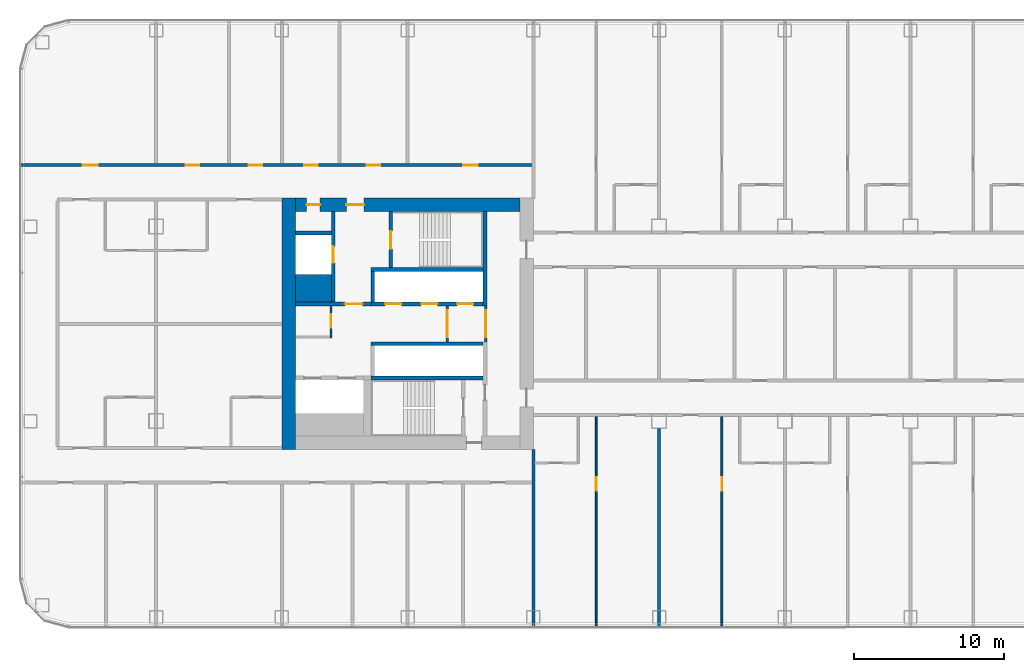
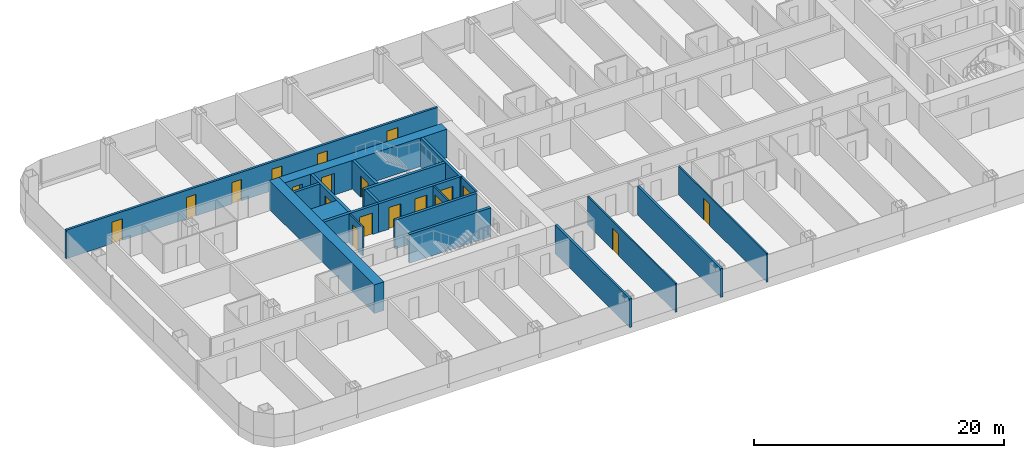
# One storey, part 14 of 28: 21 walls, 19 doors, 19 openings.
"""IFC4 building model written with IfcOpenShell, lengths in metres."""

from ifc_helpers import new_model, si_unit, direction, frame, frame_2d, origin, place, context, subcontext, project, spatial, rectangle, extrude, material, layer, layer_set, type_object, element, fill, save


model = new_model("IFC4")

# Units and contexts
model_context = context("Model", 3, precision=1e-05, world=origin(), true_north=direction((0.0, 1.0)))
body_context = subcontext(model_context, "Body", "Model", "MODEL_VIEW")
ifc_project = project(units=[si_unit("LENGTHUNIT", "METRE"), si_unit("AREAUNIT", "SQUARE_METRE"), si_unit("VOLUMEUNIT", "CUBIC_METRE"), si_unit("PLANEANGLEUNIT", "RADIAN"), si_unit("MASSUNIT", "GRAM", prefix="KILO")], contexts=[model_context])

# Site, building, storey
site_placement = place(None, origin())
site = spatial("IfcSite", under=ifc_project, at=site_placement, CompositionType="ELEMENT")
building_placement = place(site_placement, origin())
building = spatial("IfcBuilding", under=site, at=building_placement, Name="Hakoniwa Tower and Hamabe Station Hall", CompositionType="ELEMENT")
storey_placement = place(building_placement, frame((0.0, 0.0, 48.60009765625)))
storey = spatial("IfcBuildingStorey", under=building, at=storey_placement, Name="L13", CompositionType="ELEMENT", Elevation=48.60009765625)

# Wall, opening, door
ifc_material_1 = material(Name="Gypsum board partition")
ifc_layer_1 = layer(ifc_material_1, 0.14990234375)
ifc_layer_set_1 = layer_set([ifc_layer_1], Name="CORE PARTITION 150 EI 60")
wall_type_1 = type_object("IfcWallType", Name="CORE PARTITION 150 EI 60", PredefinedType="PARTITIONING", material=ifc_layer_set_1)
wall_1_placement = place(storey_placement, frame((-19.97509765625, -1.199951171875, 0.0), z_axis=(0.0, 0.0, 1.0), x_axis=(0.0, 1.0, 0.0)))
wall_1 = element("IfcWall", 1, at=wall_1_placement, inside=storey, type_object=wall_type_1, Name="Core partition PL0 west", PredefinedType="PARTITIONING", context=body_context, shape_type="SweptSolid", body=[
    extrude(rectangle(XDim=2.39990234375, YDim=0.14990234375, at=frame_2d((1.199951171875, 0.0))), origin(), (0.0, 0.0, 1.0), 2.7998046875),
])
opening_1_placement = place(wall_1_placement, frame((0.300048828125, 0.0, 0.0)))
opening_1 = element("IfcOpeningElement", 2, at=opening_1_placement, cuts=wall_1, Name="Opening CD-W-LP0-18", PredefinedType="OPENING", context=body_context, shape_type="SweptSolid", body=[
    extrude(rectangle(XDim=1.800048828125, YDim=2.10009765625, at=frame_2d((0.89990234375, 1.050048828125))), frame((0.0, 0.0849609375, 0.0), z_axis=(0.0, -1.0, 0.0), x_axis=(1.0, 0.0, 0.0)), (0.0, 0.0, 1.0), 0.169921875),
])
ifc_material_2 = material(Name="Steel fire door", Category="steel")
door_type_1 = type_object("IfcDoorType", Name="CORE DOOR 1800 FD60", OperationType="DOUBLE_DOOR_SINGLE_SWING", PredefinedType="DOOR", material=ifc_material_2)
door_1_placement = place(opening_1_placement, origin())
door_1 = element("IfcDoor", 3, at=door_1_placement, inside=storey, type_object=door_type_1, Name="Lift lobby partition door", OperationType="DOUBLE_DOOR_SINGLE_SWING", OverallHeight=2.10009765625, OverallWidth=1.800048828125, PredefinedType="DOOR", context=body_context, shape_type="SweptSolid", body=[
    extrude(rectangle(XDim=1.800048828125, YDim=2.10009765625, at=frame_2d((0.89990234375, 1.050048828125))), frame((0.0, 0.02490234375, 0.0), z_axis=(0.0, -1.0, 0.0), x_axis=(1.0, 0.0, 0.0)), (0.0, 0.0, 1.0), 0.050048828125),
])
fill(opening_1, door_1)

wall_2_placement = place(storey_placement, frame((-22.550048828125, -1.199951171875, 0.0), z_axis=(0.0, 0.0, 1.0), x_axis=(0.0, 1.0, 0.0)))
wall_2 = element("IfcWall", 4, at=wall_2_placement, inside=storey, type_object=wall_type_1, Name="Core partition PL1 west", PredefinedType="PARTITIONING", context=body_context, shape_type="SweptSolid", body=[
    extrude(rectangle(XDim=2.39990234375, YDim=0.14990234375, at=frame_2d((1.199951171875, 0.0))), origin(), (0.0, 0.0, 1.0), 2.7998046875),
])
opening_2_placement = place(wall_2_placement, frame((0.300048828125, 0.0, 0.0)))
opening_2 = element("IfcOpeningElement", 5, at=opening_2_placement, cuts=wall_2, Name="Opening CD-W-LP1-18", PredefinedType="OPENING", context=body_context, shape_type="SweptSolid", body=[
    extrude(rectangle(XDim=1.800048828125, YDim=2.10009765625, at=frame_2d((0.89990234375, 1.050048828125))), frame((0.0, 0.0849609375, 0.0), z_axis=(0.0, -1.0, 0.0), x_axis=(1.0, 0.0, 0.0)), (0.0, 0.0, 1.0), 0.169921875),
])
door_2_placement = place(opening_2_placement, origin())
door_2 = element("IfcDoor", 6, at=door_2_placement, inside=storey, type_object=door_type_1, Name="Lift lobby partition door", OperationType="DOUBLE_DOOR_SINGLE_SWING", OverallHeight=2.10009765625, OverallWidth=1.800048828125, PredefinedType="DOOR", context=body_context, shape_type="SweptSolid", body=[
    extrude(rectangle(XDim=1.800048828125, YDim=2.10009765625, at=frame_2d((0.89990234375, 1.050048828125))), frame((0.0, 0.02490234375, 0.0), z_axis=(0.0, -1.0, 0.0), x_axis=(1.0, 0.0, 0.0)), (0.0, 0.0, 1.0), 0.050048828125),
])
fill(opening_2, door_2)

wall_3_placement = place(storey_placement, frame((-30.324951171875, -0.949951171875, 0.0), z_axis=(0.0, 0.0, 1.0), x_axis=(0.0, 1.0, 0.0)))
wall_3 = element("IfcWall", 7, at=wall_3_placement, inside=storey, type_object=wall_type_1, Name="Core partition PW0 west", PredefinedType="PARTITIONING", context=body_context, shape_type="SweptSolid", body=[
    extrude(rectangle(XDim=2.14990234375, YDim=0.14990234375, at=frame_2d((1.074951171875, 0.0))), origin(), (0.0, 0.0, 1.0), 2.7998046875),
])
opening_3_placement = place(wall_3_placement, frame((0.699951171875, 0.0, 0.0)))
opening_3 = element("IfcOpeningElement", 8, at=opening_3_placement, cuts=wall_3, Name="Opening CD-W-RM1-9", PredefinedType="OPENING", context=body_context, shape_type="SweptSolid", body=[
    extrude(rectangle(XDim=0.89990234375, YDim=2.10009765625, at=frame_2d((0.449951171875, 1.050048828125))), frame((0.0, 0.0849609375, 0.0), z_axis=(0.0, -1.0, 0.0), x_axis=(1.0, 0.0, 0.0)), (0.0, 0.0, 1.0), 0.169921875),
])
ifc_material_3 = material(Name="Steel fire door", Category="steel")
door_type_2 = type_object("IfcDoorType", Name="CORE DOOR 900 FD30", OperationType="NOTDEFINED", PredefinedType="DOOR", material=ifc_material_3)
door_3_placement = place(opening_3_placement, origin())
door_3 = element("IfcDoor", 9, at=door_3_placement, inside=storey, type_object=door_type_2, Name="Store room door", OperationType="SINGLE_SWING_RIGHT", OverallHeight=2.10009765625, OverallWidth=0.89990234375, PredefinedType="DOOR", context=body_context, shape_type="SweptSolid", body=[
    extrude(rectangle(XDim=0.89990234375, YDim=2.10009765625, at=frame_2d((0.449951171875, 1.050048828125))), frame((0.0, 0.02490234375, 0.0), z_axis=(0.0, -1.0, 0.0), x_axis=(1.0, 0.0, 0.0)), (0.0, 0.0, 1.0), 0.050048828125),
])
fill(opening_3, door_3)

# Wall
ifc_material_4 = material(Name="Concrete C80", Category="concrete")
ifc_layer_2 = layer(ifc_material_4, 0.89990234375)
ifc_layer_set_2 = layer_set([ifc_layer_2], Name="CORE WALL 900 C80")
wall_type_2 = type_object("IfcWallType", Name="CORE WALL 900 C80", PredefinedType="SHEAR", material=ifc_layer_set_2)
wall_4_placement = place(storey_placement, frame((-33.14990234375, -8.39990234375, 0.0), z_axis=(0.0, 0.0, 1.0), x_axis=(0.0, 1.0, 0.0)))
element("IfcWall", 10, at=wall_4_placement, inside=storey, type_object=wall_type_2, Name="Core wall OUTER west", PredefinedType="SHEAR", context=body_context, shape_type="SweptSolid", body=[
    extrude(rectangle(XDim=16.7998046875, YDim=0.89990234375, at=frame_2d((8.39990234375, 0.0))), origin(), (0.0, 0.0, 1.0), 2.7998046875),
])

# Wall, openings, doors
wall_5_placement = place(storey_placement, frame((-32.699951171875, 7.949951171875, 0.0), z_axis=(0.0, 0.0, 1.0), x_axis=(1.0, 0.0, 0.0)))
wall_5 = element("IfcWall", 11, at=wall_5_placement, inside=storey, type_object=wall_type_2, Name="Core wall NORTH west", PredefinedType="SHEAR", context=body_context, shape_type="SweptSolid", body=[
    extrude(rectangle(XDim=15.0, YDim=0.89990234375, at=frame_2d((7.5, 0.0))), origin(), (0.0, 0.0, 1.0), 2.7998046875),
])
opening_4_placement = place(wall_5_placement, frame((3.39990234375, 0.0, 0.0)))
opening_4 = element("IfcOpeningElement", 12, at=opening_4_placement, cuts=wall_5, Name="Opening CD-W-FN1-12", PredefinedType="OPENING", context=body_context, shape_type="SweptSolid", body=[
    extrude(rectangle(XDim=1.199951171875, YDim=2.10009765625, at=frame_2d((0.60009765625, 1.050048828125))), frame((0.0, 0.4599609375, 0.0), z_axis=(0.0, -1.0, 0.0), x_axis=(1.0, 0.0, 0.0)), (0.0, 0.0, 1.0), 0.919921875),
])
opening_5_placement = place(wall_5_placement, frame((0.75, 0.0, 0.0)))
opening_5 = element("IfcOpeningElement", 13, at=opening_5_placement, cuts=wall_5, Name="Opening CD-W-FN2-9", PredefinedType="OPENING", context=body_context, shape_type="SweptSolid", body=[
    extrude(rectangle(XDim=0.89990234375, YDim=2.10009765625, at=frame_2d((0.449951171875, 1.050048828125))), frame((0.0, 0.4599609375, 0.0), z_axis=(0.0, -1.0, 0.0), x_axis=(1.0, 0.0, 0.0)), (0.0, 0.0, 1.0), 0.919921875),
])
ifc_material_5 = material(Name="Steel fire door", Category="steel")
door_type_3 = type_object("IfcDoorType", Name="CORE DOOR 1200 FD60", OperationType="DOUBLE_DOOR_SINGLE_SWING", PredefinedType="DOOR", material=ifc_material_5)
door_4_placement = place(opening_4_placement, origin())
door_4 = element("IfcDoor", 14, at=door_4_placement, inside=storey, type_object=door_type_3, Name="Stair vestibule door to the fire-fighting lobby", OperationType="DOUBLE_DOOR_SINGLE_SWING", OverallHeight=2.10009765625, OverallWidth=1.199951171875, PredefinedType="DOOR", context=body_context, shape_type="SweptSolid", body=[
    extrude(rectangle(XDim=1.199951171875, YDim=2.10009765625, at=frame_2d((0.60009765625, 1.050048828125))), frame((0.0, 0.02490234375, 0.0), z_axis=(0.0, -1.0, 0.0), x_axis=(1.0, 0.0, 0.0)), (0.0, 0.0, 1.0), 0.050048828125),
])
fill(opening_4, door_4)
door_5_placement = place(opening_5_placement, origin())
door_5 = element("IfcDoor", 15, at=door_5_placement, inside=storey, type_object=door_type_2, Name="Riser access door", OperationType="SINGLE_SWING_RIGHT", OverallHeight=2.10009765625, OverallWidth=0.89990234375, PredefinedType="DOOR", context=body_context, shape_type="SweptSolid", body=[
    extrude(rectangle(XDim=0.89990234375, YDim=2.10009765625, at=frame_2d((0.449951171875, 1.050048828125))), frame((0.0, 0.02490234375, 0.0), z_axis=(0.0, -1.0, 0.0), x_axis=(1.0, 0.0, 0.0)), (0.0, 0.0, 1.0), 0.050048828125),
])
fill(opening_5, door_5)

# Walls
ifc_material_6 = material(Name="Concrete C80", Category="concrete")
ifc_layer_3 = layer(ifc_material_6, 1.85009765625)
ifc_layer_set_3 = layer_set([ifc_layer_3], Name="CORE WEB WALL 1850 C80")
wall_type_3 = type_object("IfcWallType", Name="CORE WEB WALL 1850 C80", PredefinedType="SHEAR", material=ifc_layer_set_3)
wall_6_placement = place(storey_placement, frame((-32.699951171875, 2.375, 0.0), z_axis=(0.0, 0.0, 1.0), x_axis=(1.0, 0.0, 0.0)))
element("IfcWall", 16, at=wall_6_placement, inside=storey, type_object=wall_type_3, Name="Core wall CA west", PredefinedType="SHEAR", context=body_context, shape_type="SweptSolid", body=[
    extrude(rectangle(XDim=2.39990234375, YDim=1.85009765625, at=frame_2d((1.199951171875, 0.0))), origin(), (0.0, 0.0, 1.0), 2.7998046875),
])
ifc_material_7 = material(Name="Concrete C80", Category="concrete")
ifc_layer_4 = layer(ifc_material_7, 0.25)
ifc_layer_set_4 = layer_set([ifc_layer_4], Name="CORE WEB WALL 250 C80")
wall_type_4 = type_object("IfcWallType", Name="CORE WEB WALL 250 C80", PredefinedType="SHEAR", material=ifc_layer_set_4)
wall_7_placement = place(storey_placement, frame((-20.02490234375, 1.199951171875, 0.0), z_axis=(0.0, 0.0, 1.0), x_axis=(0.0, 1.0, 0.0)))
element("IfcWall", 17, at=wall_7_placement, inside=storey, type_object=wall_type_4, Name="Core wall W1N west", PredefinedType="SHEAR", context=body_context, shape_type="SweptSolid", body=[
    extrude(rectangle(XDim=6.300048828125, YDim=0.25, at=frame_2d((3.14990234375, 0.0))), origin(), (0.0, 0.0, 1.0), 2.7998046875),
])

# Wall, openings, doors
wall_8_placement = place(storey_placement, frame((-27.64990234375, 1.324951171875, 0.0), z_axis=(0.0, 0.0, 1.0), x_axis=(1.0, 0.0, 0.0)))
wall_8 = element("IfcWall", 18, at=wall_8_placement, inside=storey, type_object=wall_type_4, Name="Core wall NF west", PredefinedType="SHEAR", context=body_context, shape_type="SweptSolid", body=[
    extrude(rectangle(XDim=7.5, YDim=0.25, at=frame_2d((3.75, 0.0))), origin(), (0.0, 0.0, 1.0), 2.7998046875),
])
opening_6_placement = place(wall_8_placement, frame((5.75, 0.0, 0.0)))
opening_6 = element("IfcOpeningElement", 19, at=opening_6_placement, cuts=wall_8, Name="Opening LD-LR1", PredefinedType="OPENING", context=body_context, shape_type="SweptSolid", body=[
    extrude(rectangle(XDim=1.10009765625, YDim=2.10009765625, at=frame_2d((0.550048828125, 1.050048828125))), frame((0.0, 0.135009765625, 0.0), z_axis=(0.0, -1.0, 0.0), x_axis=(1.0, 0.0, 0.0)), (0.0, 0.0, 1.0), 0.27001953125),
])
opening_7_placement = place(wall_8_placement, frame((3.35009765625, 0.0, 0.0)))
opening_7 = element("IfcOpeningElement", 20, at=opening_7_placement, cuts=wall_8, Name="Opening LD-LR2", PredefinedType="OPENING", context=body_context, shape_type="SweptSolid", body=[
    extrude(rectangle(XDim=1.10009765625, YDim=2.10009765625, at=frame_2d((0.550048828125, 1.050048828125))), frame((0.0, 0.135009765625, 0.0), z_axis=(0.0, -1.0, 0.0), x_axis=(1.0, 0.0, 0.0)), (0.0, 0.0, 1.0), 0.27001953125),
])
opening_8_placement = place(wall_8_placement, frame((0.949951171875, 0.0, 0.0)))
opening_8 = element("IfcOpeningElement", 21, at=opening_8_placement, cuts=wall_8, Name="Opening LD-LR3", PredefinedType="OPENING", context=body_context, shape_type="SweptSolid", body=[
    extrude(rectangle(XDim=1.10009765625, YDim=2.10009765625, at=frame_2d((0.550048828125, 1.050048828125))), frame((0.0, 0.135009765625, 0.0), z_axis=(0.0, -1.0, 0.0), x_axis=(1.0, 0.0, 0.0)), (0.0, 0.0, 1.0), 0.27001953125),
])
ifc_material_8 = material(Name="Stainless steel SUS304", Category="steel")
door_type_4 = type_object("IfcDoorType", Name="LIFT LANDING DOOR 1100 FD60", OperationType="DOUBLE_DOOR_SLIDING", PredefinedType="DOOR", material=ifc_material_8)
door_6_placement = place(opening_6_placement, origin())
door_6 = element("IfcDoor", 22, at=door_6_placement, inside=storey, type_object=door_type_4, Name="Lift landing door LR1 L13", OperationType="DOUBLE_DOOR_SLIDING", OverallHeight=2.10009765625, OverallWidth=1.10009765625, PredefinedType="DOOR", context=body_context, shape_type="SweptSolid", body=[
    extrude(rectangle(XDim=1.10009765625, YDim=2.10009765625, at=frame_2d((0.550048828125, 1.050048828125))), frame((0.0, 0.02490234375, 0.0), z_axis=(0.0, -1.0, 0.0), x_axis=(1.0, 0.0, 0.0)), (0.0, 0.0, 1.0), 0.050048828125),
])
fill(opening_6, door_6)
door_7_placement = place(opening_7_placement, origin())
door_7 = element("IfcDoor", 23, at=door_7_placement, inside=storey, type_object=door_type_4, Name="Lift landing door LR2 L13", OperationType="DOUBLE_DOOR_SLIDING", OverallHeight=2.10009765625, OverallWidth=1.10009765625, PredefinedType="DOOR", context=body_context, shape_type="SweptSolid", body=[
    extrude(rectangle(XDim=1.10009765625, YDim=2.10009765625, at=frame_2d((0.550048828125, 1.050048828125))), frame((0.0, 0.02490234375, 0.0), z_axis=(0.0, -1.0, 0.0), x_axis=(1.0, 0.0, 0.0)), (0.0, 0.0, 1.0), 0.050048828125),
])
fill(opening_7, door_7)
door_8_placement = place(opening_8_placement, origin())
door_8 = element("IfcDoor", 24, at=door_8_placement, inside=storey, type_object=door_type_4, Name="Lift landing door LR3 L13", OperationType="DOUBLE_DOOR_SLIDING", OverallHeight=2.10009765625, OverallWidth=1.10009765625, PredefinedType="DOOR", context=body_context, shape_type="SweptSolid", body=[
    extrude(rectangle(XDim=1.10009765625, YDim=2.10009765625, at=frame_2d((0.550048828125, 1.050048828125))), frame((0.0, 0.02490234375, 0.0), z_axis=(0.0, -1.0, 0.0), x_axis=(1.0, 0.0, 0.0)), (0.0, 0.0, 1.0), 0.050048828125),
])
fill(opening_8, door_8)

# Walls
wall_9_placement = place(storey_placement, frame((-27.52490234375, 1.449951171875, 0.0), z_axis=(0.0, 0.0, 1.0), x_axis=(0.0, 1.0, 0.0)))
element("IfcWall", 25, at=wall_9_placement, inside=storey, type_object=wall_type_4, Name="Core wall NE west", PredefinedType="SHEAR", context=body_context, shape_type="SweptSolid", body=[
    extrude(rectangle(XDim=2.050048828125, YDim=0.25, at=frame_2d((1.02490234375, 0.0))), origin(), (0.0, 0.0, 1.0), 2.7998046875),
])
wall_10_placement = place(storey_placement, frame((-27.64990234375, 3.625, 0.0), z_axis=(0.0, 0.0, 1.0), x_axis=(1.0, 0.0, 0.0)))
element("IfcWall", 26, at=wall_10_placement, inside=storey, type_object=wall_type_4, Name="Core wall NR west", PredefinedType="SHEAR", context=body_context, shape_type="SweptSolid", body=[
    extrude(rectangle(XDim=7.5, YDim=0.25, at=frame_2d((3.75, 0.0))), origin(), (0.0, 0.0, 1.0), 2.7998046875),
])

# Wall, opening, door
wall_11_placement = place(storey_placement, frame((-26.324951171875, 3.75, 0.0), z_axis=(0.0, 0.0, 1.0), x_axis=(0.0, 1.0, 0.0)))
wall_11 = element("IfcWall", 27, at=wall_11_placement, inside=storey, type_object=wall_type_4, Name="Core wall NSE west", PredefinedType="SHEAR", context=body_context, shape_type="SweptSolid", body=[
    extrude(rectangle(XDim=3.75, YDim=0.25, at=frame_2d((1.875, 0.0))), origin(), (0.0, 0.0, 1.0), 2.7998046875),
])
opening_9_placement = place(wall_11_placement, frame((1.25, 0.0, 0.0)))
opening_9 = element("IfcOpeningElement", 28, at=opening_9_placement, cuts=wall_11, Name="Opening CD-W-SN-12", PredefinedType="OPENING", context=body_context, shape_type="SweptSolid", body=[
    extrude(rectangle(XDim=1.199951171875, YDim=2.10009765625, at=frame_2d((0.60009765625, 1.050048828125))), frame((0.0, 0.135009765625, 0.0), z_axis=(0.0, -1.0, 0.0), x_axis=(1.0, 0.0, 0.0)), (0.0, 0.0, 1.0), 0.27001953125),
])
door_9_placement = place(opening_9_placement, origin())
door_9 = element("IfcDoor", 29, at=door_9_placement, inside=storey, type_object=door_type_3, Name="Escape stair door", OperationType="DOUBLE_DOOR_SINGLE_SWING", OverallHeight=2.10009765625, OverallWidth=1.199951171875, PredefinedType="DOOR", context=body_context, shape_type="SweptSolid", body=[
    extrude(rectangle(XDim=1.199951171875, YDim=2.10009765625, at=frame_2d((0.60009765625, 1.050048828125))), frame((0.0, 0.02490234375, 0.0), z_axis=(0.0, -1.0, 0.0), x_axis=(1.0, 0.0, 0.0)), (0.0, 0.0, 1.0), 0.050048828125),
])
fill(opening_9, door_9)

wall_12_placement = place(storey_placement, frame((-32.699951171875, 1.324951171875, 0.0), z_axis=(0.0, 0.0, 1.0), x_axis=(1.0, 0.0, 0.0)))
wall_12 = element("IfcWall", 30, at=wall_12_placement, inside=storey, type_object=wall_type_4, Name="Core wall ELN west", PredefinedType="SHEAR", context=body_context, shape_type="SweptSolid", body=[
    extrude(rectangle(XDim=5.050048828125, YDim=0.25, at=frame_2d((2.52490234375, 0.0))), origin(), (0.0, 0.0, 1.0), 2.7998046875),
])
opening_10_placement = place(wall_12_placement, frame((3.300048828125, 0.0, 0.0)))
opening_10 = element("IfcOpeningElement", 31, at=opening_10_placement, cuts=wall_12, Name="Opening CD-W-FL-12", PredefinedType="OPENING", context=body_context, shape_type="SweptSolid", body=[
    extrude(rectangle(XDim=1.199951171875, YDim=2.10009765625, at=frame_2d((0.60009765625, 1.050048828125))), frame((0.0, 0.135009765625, 0.0), z_axis=(0.0, -1.0, 0.0), x_axis=(1.0, 0.0, 0.0)), (0.0, 0.0, 1.0), 0.27001953125),
])
door_10_placement = place(opening_10_placement, origin())
door_10 = element("IfcDoor", 32, at=door_10_placement, inside=storey, type_object=door_type_3, Name="Stair vestibule door to the fire-fighting lobby", OperationType="DOUBLE_DOOR_SINGLE_SWING", OverallHeight=2.10009765625, OverallWidth=1.199951171875, PredefinedType="DOOR", context=body_context, shape_type="SweptSolid", body=[
    extrude(rectangle(XDim=1.199951171875, YDim=2.10009765625, at=frame_2d((0.60009765625, 1.050048828125))), frame((0.0, 0.02490234375, 0.0), z_axis=(0.0, -1.0, 0.0), x_axis=(1.0, 0.0, 0.0)), (0.0, 0.0, 1.0), 0.050048828125),
])
fill(opening_10, door_10)

wall_13_placement = place(storey_placement, frame((-30.175048828125, 1.449951171875, 0.0), z_axis=(0.0, 0.0, 1.0), x_axis=(0.0, 1.0, 0.0)))
wall_13 = element("IfcWall", 33, at=wall_13_placement, inside=storey, type_object=wall_type_4, Name="Core wall FFF west", PredefinedType="SHEAR", context=body_context, shape_type="SweptSolid", body=[
    extrude(rectangle(XDim=6.050048828125, YDim=0.25, at=frame_2d((3.02490234375, 0.0))), origin(), (0.0, 0.0, 1.0), 2.7998046875),
])
opening_11_placement = place(wall_13_placement, frame((2.625, 0.0, 0.0)))
opening_11 = element("IfcOpeningElement", 34, at=opening_11_placement, cuts=wall_13, Name="Opening LD-FF1", PredefinedType="OPENING", context=body_context, shape_type="SweptSolid", body=[
    extrude(rectangle(XDim=1.10009765625, YDim=2.10009765625, at=frame_2d((0.550048828125, 1.050048828125))), frame((0.0, 0.135009765625, 0.0), z_axis=(0.0, -1.0, 0.0), x_axis=(1.0, 0.0, 0.0)), (0.0, 0.0, 1.0), 0.27001953125),
])
door_11_placement = place(opening_11_placement, origin())
door_11 = element("IfcDoor", 35, at=door_11_placement, inside=storey, type_object=door_type_4, Name="Lift landing door FF1 L13", OperationType="DOUBLE_DOOR_SLIDING", OverallHeight=2.10009765625, OverallWidth=1.10009765625, PredefinedType="DOOR", context=body_context, shape_type="SweptSolid", body=[
    extrude(rectangle(XDim=1.10009765625, YDim=2.10009765625, at=frame_2d((0.550048828125, 1.050048828125))), frame((0.0, 0.02490234375, 0.0), z_axis=(0.0, -1.0, 0.0), x_axis=(1.0, 0.0, 0.0)), (0.0, 0.0, 1.0), 0.050048828125),
])
fill(opening_11, door_11)

# Walls
wall_14_placement = place(storey_placement, frame((-32.699951171875, 6.074951171875, 0.0), z_axis=(0.0, 0.0, 1.0), x_axis=(1.0, 0.0, 0.0)))
element("IfcWall", 36, at=wall_14_placement, inside=storey, type_object=wall_type_4, Name="Core wall C2 west", PredefinedType="SHEAR", context=body_context, shape_type="SweptSolid", body=[
    extrude(rectangle(XDim=2.39990234375, YDim=0.25, at=frame_2d((1.199951171875, 0.0))), origin(), (0.0, 0.0, 1.0), 2.7998046875),
])
for number, where, z_axis, x_axis, name in (
    (37, (-27.64990234375, -1.324951171875, 0.0), (0.0, 0.0, 1.0), (1.0, 0.0, 0.0), "Core wall SF west"),
    (38, (-27.64990234375, -3.625, 0.0), (0.0, 0.0, 1.0), (1.0, 0.0, 0.0), "Core wall SR west"),
):
    element("IfcWall", number, at=place(storey_placement, frame(where, z_axis=z_axis, x_axis=x_axis)), inside=storey, type_object=wall_type_4, Name=name, PredefinedType="SHEAR", context=body_context, shape_type="SweptSolid", body=[
        extrude(rectangle(XDim=7.5, YDim=0.25, at=frame_2d((3.75, 0.0))), origin(), (0.0, 0.0, 1.0), 2.7998046875),
    ])

# Wall, openings, doors
ifc_material_9 = material(Name="Fire-rated gypsum board partition", Category="gypsum")
ifc_layer_5 = layer(ifc_material_9, 0.199951171875)
ifc_layer_set_5 = layer_set([ifc_layer_5], Name="Corridor Wall 200")
wall_type_5 = type_object("IfcWallType", Name="Corridor Wall 200", PredefinedType="PARTITIONING", material=ifc_layer_set_5)
wall_15_placement = place(storey_placement, frame((-51.10009765625, 10.60009765625, 0.0), z_axis=(0.0, 0.0, 1.0), x_axis=(1.0, 0.0, 0.0)))
wall_15 = element("IfcWall", 39, at=wall_15_placement, inside=storey, type_object=wall_type_5, Name="GW-L13-027", PredefinedType="PARTITIONING", context=body_context, shape_type="SweptSolid", body=[
    extrude(rectangle(XDim=34.300048828125, YDim=0.199951171875, at=frame_2d((17.14990234375, 0.0))), origin(), (0.0, 0.0, 1.0), 2.7998046875),
])
opening_12_placement = place(wall_15_placement, frame((4.199951171875, 0.0, 0.0)))
opening_12 = element("IfcOpeningElement", 40, at=opening_12_placement, cuts=wall_15, Name="Opening GD-G1E1-51", PredefinedType="OPENING", context=body_context, shape_type="SweptSolid", body=[
    extrude(rectangle(XDim=1.0, YDim=2.10009765625, at=frame_2d((0.5, 1.050048828125))), frame((0.0, 0.10986328125, 0.0), z_axis=(0.0, -1.0, 0.0), x_axis=(1.0, 0.0, 0.0)), (0.0, 0.0, 1.0), 0.219970703125),
])
opening_13_placement = place(wall_15_placement, frame((11.0849609375, 0.0, 0.0)))
opening_13 = element("IfcOpeningElement", 41, at=opening_13_placement, cuts=wall_15, Name="Opening GD-G1E1-52", PredefinedType="OPENING", context=body_context, shape_type="SweptSolid", body=[
    extrude(rectangle(XDim=0.89990234375, YDim=2.10009765625, at=frame_2d((0.449951171875, 1.050048828125))), frame((0.0, 0.10986328125, 0.0), z_axis=(0.0, -1.0, 0.0), x_axis=(1.0, 0.0, 0.0)), (0.0, 0.0, 1.0), 0.219970703125),
])
opening_14_placement = place(wall_15_placement, frame((15.284912109375, 0.0, 0.0)))
opening_14 = element("IfcOpeningElement", 42, at=opening_14_placement, cuts=wall_15, Name="Opening GD-G1E1-53", PredefinedType="OPENING", context=body_context, shape_type="SweptSolid", body=[
    extrude(rectangle(XDim=0.89990234375, YDim=2.10009765625, at=frame_2d((0.449951171875, 1.050048828125))), frame((0.0, 0.10986328125, 0.0), z_axis=(0.0, -1.0, 0.0), x_axis=(1.0, 0.0, 0.0)), (0.0, 0.0, 1.0), 0.219970703125),
])
opening_15_placement = place(wall_15_placement, frame((18.97998046875, 0.0, 0.0)))
opening_15 = element("IfcOpeningElement", 43, at=opening_15_placement, cuts=wall_15, Name="Opening GD-G1E1-54", PredefinedType="OPENING", context=body_context, shape_type="SweptSolid", body=[
    extrude(rectangle(XDim=0.89990234375, YDim=2.10009765625, at=frame_2d((0.449951171875, 1.050048828125))), frame((0.0, 0.10986328125, 0.0), z_axis=(0.0, -1.0, 0.0), x_axis=(1.0, 0.0, 0.0)), (0.0, 0.0, 1.0), 0.219970703125),
])
opening_16_placement = place(wall_15_placement, frame((23.179931640625, 0.0, 0.0)))
opening_16 = element("IfcOpeningElement", 44, at=opening_16_placement, cuts=wall_15, Name="Opening GD-G1E1-55", PredefinedType="OPENING", context=body_context, shape_type="SweptSolid", body=[
    extrude(rectangle(XDim=0.89990234375, YDim=2.10009765625, at=frame_2d((0.449951171875, 1.050048828125))), frame((0.0, 0.10986328125, 0.0), z_axis=(0.0, -1.0, 0.0), x_axis=(1.0, 0.0, 0.0)), (0.0, 0.0, 1.0), 0.219970703125),
])
opening_17_placement = place(wall_15_placement, frame((29.60009765625, 0.0, 0.0)))
opening_17 = element("IfcOpeningElement", 45, at=opening_17_placement, cuts=wall_15, Name="Opening GD-G1E1-56", PredefinedType="OPENING", context=body_context, shape_type="SweptSolid", body=[
    extrude(rectangle(XDim=1.0, YDim=2.10009765625, at=frame_2d((0.5, 1.050048828125))), frame((0.0, 0.10986328125, 0.0), z_axis=(0.0, -1.0, 0.0), x_axis=(1.0, 0.0, 0.0)), (0.0, 0.0, 1.0), 0.219970703125),
])
ifc_material_10 = material(Name="Timber door leaf", Category="wood")
door_type_5 = type_object("IfcDoorType", Name="Guest Entrance Door 1000", OperationType="SINGLE_SWING_LEFT", PredefinedType="DOOR", material=ifc_material_10)
door_12_placement = place(opening_12_placement, origin())
door_12 = element("IfcDoor", 46, at=door_12_placement, inside=storey, type_object=door_type_5, Name="Door GD-G1E1-51", OperationType="SINGLE_SWING_RIGHT", OverallHeight=2.10009765625, OverallWidth=1.0, PredefinedType="DOOR", context=body_context, shape_type="SweptSolid", body=[
    extrude(rectangle(XDim=1.0, YDim=2.10009765625, at=frame_2d((0.5, 1.050048828125))), frame((0.0, 0.02490234375, 0.0), z_axis=(0.0, -1.0, 0.0), x_axis=(1.0, 0.0, 0.0)), (0.0, 0.0, 1.0), 0.050048828125),
])
fill(opening_12, door_12)
door_13_placement = place(opening_17_placement, origin())
door_13 = element("IfcDoor", 47, at=door_13_placement, inside=storey, type_object=door_type_5, Name="Door GD-G1E1-56", OperationType="SINGLE_SWING_LEFT", OverallHeight=2.10009765625, OverallWidth=1.0, PredefinedType="DOOR", context=body_context, shape_type="SweptSolid", body=[
    extrude(rectangle(XDim=1.0, YDim=2.10009765625, at=frame_2d((0.5, 1.050048828125))), frame((0.0, 0.02490234375, 0.0), z_axis=(0.0, -1.0, 0.0), x_axis=(1.0, 0.0, 0.0)), (0.0, 0.0, 1.0), 0.050048828125),
])
fill(opening_17, door_13)
ifc_material_11 = material(Name="Timber door leaf", Category="wood")
door_type_6 = type_object("IfcDoorType", Name="Service Door 900", OperationType="SINGLE_SWING_LEFT", PredefinedType="DOOR", material=ifc_material_11)
door_14_placement = place(opening_13_placement, origin())
door_14 = element("IfcDoor", 48, at=door_14_placement, inside=storey, type_object=door_type_6, Name="Door GD-G1E1-52", OperationType="SINGLE_SWING_LEFT", OverallHeight=2.10009765625, OverallWidth=0.89990234375, PredefinedType="DOOR", context=body_context, shape_type="SweptSolid", body=[
    extrude(rectangle(XDim=0.89990234375, YDim=2.10009765625, at=frame_2d((0.449951171875, 1.050048828125))), frame((0.0, 0.02490234375, 0.0), z_axis=(0.0, -1.0, 0.0), x_axis=(1.0, 0.0, 0.0)), (0.0, 0.0, 1.0), 0.050048828125),
])
fill(opening_13, door_14)
door_15_placement = place(opening_14_placement, origin())
door_15 = element("IfcDoor", 49, at=door_15_placement, inside=storey, type_object=door_type_6, Name="Door GD-G1E1-53", OperationType="SINGLE_SWING_RIGHT", OverallHeight=2.10009765625, OverallWidth=0.89990234375, PredefinedType="DOOR", context=body_context, shape_type="SweptSolid", body=[
    extrude(rectangle(XDim=0.89990234375, YDim=2.10009765625, at=frame_2d((0.449951171875, 1.050048828125))), frame((0.0, 0.02490234375, 0.0), z_axis=(0.0, -1.0, 0.0), x_axis=(1.0, 0.0, 0.0)), (0.0, 0.0, 1.0), 0.050048828125),
])
fill(opening_14, door_15)
door_16_placement = place(opening_15_placement, origin())
door_16 = element("IfcDoor", 50, at=door_16_placement, inside=storey, type_object=door_type_6, Name="Door GD-G1E1-54", OperationType="SINGLE_SWING_LEFT", OverallHeight=2.10009765625, OverallWidth=0.89990234375, PredefinedType="DOOR", context=body_context, shape_type="SweptSolid", body=[
    extrude(rectangle(XDim=0.89990234375, YDim=2.10009765625, at=frame_2d((0.449951171875, 1.050048828125))), frame((0.0, 0.02490234375, 0.0), z_axis=(0.0, -1.0, 0.0), x_axis=(1.0, 0.0, 0.0)), (0.0, 0.0, 1.0), 0.050048828125),
])
fill(opening_15, door_16)
door_17_placement = place(opening_16_placement, origin())
door_17 = element("IfcDoor", 51, at=door_17_placement, inside=storey, type_object=door_type_6, Name="Door GD-G1E1-55", OperationType="SINGLE_SWING_RIGHT", OverallHeight=2.10009765625, OverallWidth=0.89990234375, PredefinedType="DOOR", context=body_context, shape_type="SweptSolid", body=[
    extrude(rectangle(XDim=0.89990234375, YDim=2.10009765625, at=frame_2d((0.449951171875, 1.050048828125))), frame((0.0, 0.02490234375, 0.0), z_axis=(0.0, -1.0, 0.0), x_axis=(1.0, 0.0, 0.0)), (0.0, 0.0, 1.0), 0.050048828125),
])
fill(opening_16, door_17)

# Walls
ifc_material_12 = material(Name="Fire-rated gypsum board partition", Category="gypsum")
ifc_layer_6 = layer(ifc_material_12, 0.199951171875)
ifc_layer_set_6 = layer_set([ifc_layer_6], Name="Party Wall 200")
wall_type_6 = type_object("IfcWallType", Name="Party Wall 200", PredefinedType="PARTITIONING", material=ifc_layer_set_6)
wall_16_placement = place(storey_placement, frame((-16.800048828125, -20.300048828125, 0.0), z_axis=(0.0, 0.0, 1.0), x_axis=(0.0, 1.0, 0.0)))
element("IfcWall", 52, at=wall_16_placement, inside=storey, type_object=wall_type_6, Name="GW-L13-049", PredefinedType="PARTITIONING", context=body_context, shape_type="SweptSolid", body=[
    extrude(rectangle(XDim=11.91015625, YDim=0.199951171875, at=frame_2d((5.955078125, 0.0))), origin(), (0.0, 0.0, 1.0), 2.7998046875),
])
wall_17_placement = place(storey_placement, frame((-8.39990234375, -20.300048828125, 0.0), z_axis=(0.0, 0.0, 1.0), x_axis=(0.0, 1.0, 0.0)))
element("IfcWall", 53, at=wall_17_placement, inside=storey, type_object=wall_type_6, Name="GW-L13-056", PredefinedType="PARTITIONING", context=body_context, shape_type="SweptSolid", body=[
    extrude(rectangle(XDim=13.31005859375, YDim=0.199951171875, at=frame_2d((6.655029296875, 0.0))), origin(), (0.0, 0.0, 1.0), 2.7998046875),
])

# Wall, opening, door
ifc_material_13 = material(Name="Gypsum board partition", Category="gypsum")
ifc_layer_7 = layer(ifc_material_13, 0.125)
ifc_layer_set_7 = layer_set([ifc_layer_7], Name="Room Partition 125")
wall_type_7 = type_object("IfcWallType", Name="Room Partition 125", PredefinedType="PARTITIONING", material=ifc_layer_set_7)
wall_18_placement = place(storey_placement, frame((-12.60009765625, -20.300048828125, 0.0), z_axis=(0.0, 0.0, 1.0), x_axis=(0.0, 1.0, 0.0)))
wall_18 = element("IfcWall", 54, at=wall_18_placement, inside=storey, type_object=wall_type_7, Name="GW-L13-053", PredefinedType="PARTITIONING", context=body_context, shape_type="SweptSolid", body=[
    extrude(rectangle(XDim=14.10009765625, YDim=0.125, at=frame_2d((7.050048828125, 0.0))), origin(), (0.0, 0.0, 1.0), 2.7998046875),
])
opening_18_placement = place(wall_18_placement, frame((9.14990234375, 0.0, 0.0)))
opening_18 = element("IfcOpeningElement", 55, at=opening_18_placement, cuts=wall_18, Name="Opening GD-G1E1-65", PredefinedType="OPENING", context=body_context, shape_type="SweptSolid", body=[
    extrude(rectangle(XDim=0.89990234375, YDim=2.10009765625, at=frame_2d((0.449951171875, 1.050048828125))), frame((0.0, 0.072509765625, 0.0), z_axis=(0.0, -1.0, 0.0), x_axis=(1.0, 0.0, 0.0)), (0.0, 0.0, 1.0), 0.14501953125),
])
ifc_material_14 = material(Name="Timber door leaf", Category="wood")
door_type_7 = type_object("IfcDoorType", Name="Suite Interior Door 900", OperationType="SINGLE_SWING_LEFT", PredefinedType="DOOR", material=ifc_material_14)
door_18_placement = place(opening_18_placement, origin())
door_18 = element("IfcDoor", 56, at=door_18_placement, inside=storey, type_object=door_type_7, Name="Door GD-G1E1-65", OperationType="SINGLE_SWING_LEFT", OverallHeight=2.10009765625, OverallWidth=0.89990234375, PredefinedType="DOOR", context=body_context, shape_type="SweptSolid", body=[
    extrude(rectangle(XDim=0.89990234375, YDim=2.10009765625, at=frame_2d((0.449951171875, 1.050048828125))), frame((0.0, 0.02490234375, 0.0), z_axis=(0.0, -1.0, 0.0), x_axis=(1.0, 0.0, 0.0)), (0.0, 0.0, 1.0), 0.050048828125),
])
fill(opening_18, door_18)

wall_19_placement = place(storey_placement, frame((-4.199951171875, -20.300048828125, 0.0), z_axis=(0.0, 0.0, 1.0), x_axis=(0.0, 1.0, 0.0)))
wall_19 = element("IfcWall", 57, at=wall_19_placement, inside=storey, type_object=wall_type_7, Name="GW-L13-059", PredefinedType="PARTITIONING", context=body_context, shape_type="SweptSolid", body=[
    extrude(rectangle(XDim=14.10009765625, YDim=0.125, at=frame_2d((7.050048828125, 0.0))), origin(), (0.0, 0.0, 1.0), 2.7998046875),
])
opening_19_placement = place(wall_19_placement, frame((9.14990234375, 0.0, 0.0)))
opening_19 = element("IfcOpeningElement", 58, at=opening_19_placement, cuts=wall_19, Name="Opening GD-G1E1-67", PredefinedType="OPENING", context=body_context, shape_type="SweptSolid", body=[
    extrude(rectangle(XDim=0.89990234375, YDim=2.10009765625, at=frame_2d((0.449951171875, 1.050048828125))), frame((0.0, 0.072509765625, 0.0), z_axis=(0.0, -1.0, 0.0), x_axis=(1.0, 0.0, 0.0)), (0.0, 0.0, 1.0), 0.14501953125),
])
door_19_placement = place(opening_19_placement, origin())
door_19 = element("IfcDoor", 59, at=door_19_placement, inside=storey, type_object=door_type_7, Name="Door GD-G1E1-67", OperationType="SINGLE_SWING_RIGHT", OverallHeight=2.10009765625, OverallWidth=0.89990234375, PredefinedType="DOOR", context=body_context, shape_type="SweptSolid", body=[
    extrude(rectangle(XDim=0.89990234375, YDim=2.10009765625, at=frame_2d((0.449951171875, 1.050048828125))), frame((0.0, 0.02490234375, 0.0), z_axis=(0.0, -1.0, 0.0), x_axis=(1.0, 0.0, 0.0)), (0.0, 0.0, 1.0), 0.050048828125),
])
fill(opening_19, door_19)

save(model, "model.ifc")
